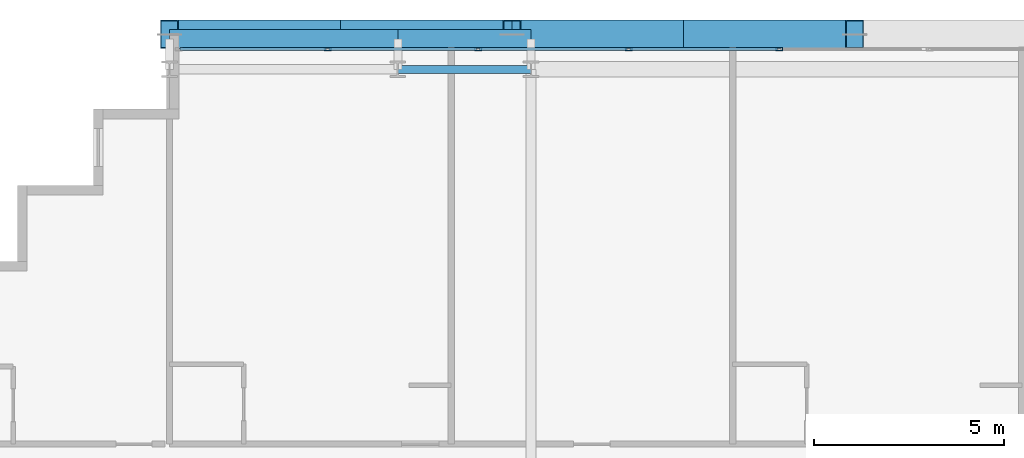
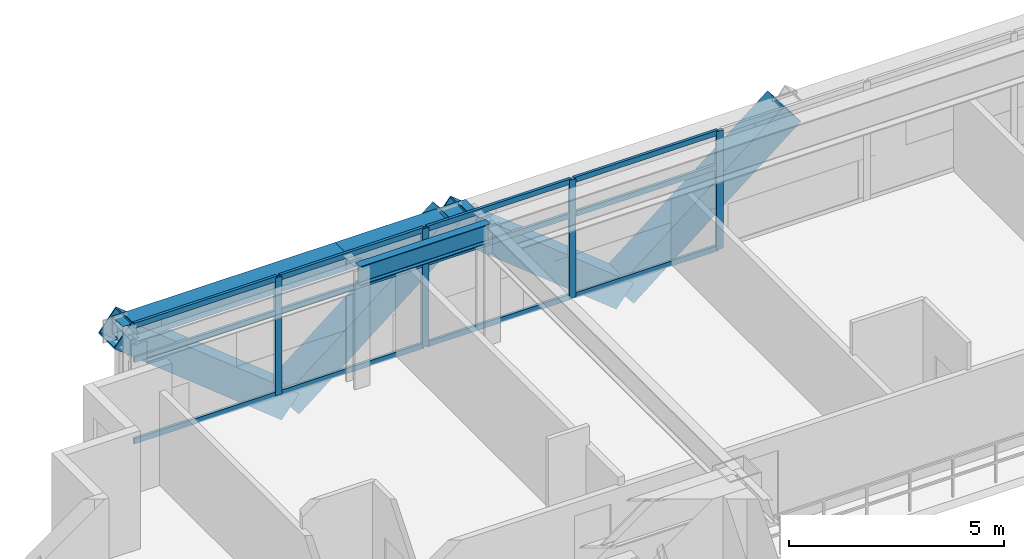
# One storey, part 18 of 34: 20 members, 3 beams, 1 element without a shape of its own.
"""IFC4 building model written with IfcOpenShell, lengths in metres."""

from ifc_helpers import new_model, si_unit, direction, frame, origin, origin_2d, place, context, subcontext, project, spatial, hollow_rectangle, i_section, extrude, source, transform, mapped, material, layer, layer_set, material_profile, profile_set, type_object, element, aggregate, save


model = new_model("IFC4")

# Units and contexts
model_context = context("Model", 3, precision=1e-05, world=origin(), true_north=direction((0.0, 1.0)))
body_context = subcontext(model_context, "Body", "Model", "MODEL_VIEW")
ifc_project = project(units=[si_unit("LENGTHUNIT", "METRE"), si_unit("AREAUNIT", "SQUARE_METRE"), si_unit("VOLUMEUNIT", "CUBIC_METRE"), si_unit("PLANEANGLEUNIT", "RADIAN"), si_unit("MASSUNIT", "GRAM", prefix="KILO")], contexts=[model_context])

# Site, building, storey
site_placement = place(None, origin())
site = spatial("IfcSite", under=ifc_project, at=site_placement, CompositionType="ELEMENT")
building_placement = place(site_placement, origin())
building = spatial("IfcBuilding", under=site, at=building_placement, Name="Ocotamira Hotel", CompositionType="ELEMENT")
storey_placement = place(building_placement, frame((0.0, 0.0, 108.0)))
storey = spatial("IfcBuildingStorey", under=building, at=storey_placement, Name="L26", CompositionType="ELEMENT", Elevation=108.0)

# Beams
ifc_material_1 = material(Name="Steel ASTM A992 Grade 50", Category="steel")
ifc_material_profile_1 = material_profile(ifc_material_1, i_section(OverallWidth=0.2099609375, OverallDepth=0.537109375, WebThickness=0.010986328125, FlangeThickness=0.017333984375, FilletRadius=0.012939453125, at=origin_2d()), Name="W21X68")
ifc_profile_set_1 = profile_set([ifc_material_profile_1], Name="Steel ASTM A992 Grade 50")
beam_type_1 = type_object("IfcBeamType", Name="BM-SEC-W21X68", PredefinedType="JOIST", material=ifc_profile_set_1)
shared_shape_1 = source(origin(), body_context, "Body", "SweptSolid", [
    extrude(i_section(OverallWidth=0.2099609375, OverallDepth=0.537109375, WebThickness=0.010986328125, FlangeThickness=0.017333984375, FilletRadius=0.012939453125, at=origin_2d()), origin(), (0.0, 0.0, 1.0), 3.5),
])
beam_1_placement = place(storey_placement, frame((20.0, 49.050048828125, 3.091552734375), z_axis=(1.0, 0.0, 0.0), x_axis=(0.0, 1.0, 0.0)))
element("IfcBeam", 1, at=beam_1_placement, inside=storey, type_object=beam_type_1, Name="L26 Girder Y49.05 X20-23.5", PredefinedType="JOIST", context=body_context, shape_type="MappedRepresentation", body=[
    mapped(shared_shape_1, transform((0.0, 0.0, 0.0), scale=1.0)),
])
ifc_material_2 = material(Name="Steel ASTM A500 Grade C", Category="steel")
ifc_material_profile_2 = material_profile(ifc_material_2, hollow_rectangle(XDim=0.5, YDim=0.5, WallThickness=0.02001953125, at=origin_2d()), Name="HSS500X500X20")
ifc_profile_set_2 = profile_set([ifc_material_profile_2], Name="Steel ASTM A500 Grade C")
beam_type_2 = type_object("IfcBeamType", Name="BM-SPAN-HSS500", PredefinedType="USERDEFINED", material=ifc_profile_set_2)
shared_shape_2 = source(origin(), body_context, "Body", "SweptSolid", [
    extrude(hollow_rectangle(XDim=0.5, YDim=0.5, WallThickness=0.02001953125, at=origin_2d()), origin(), (0.0, 0.0, 1.0), 6.0),
])
beam_2_placement = place(storey_placement, frame((14.0, 49.85009765625, 3.110107421875), z_axis=(1.0, 0.0, 0.0), x_axis=(0.0, 1.0, 0.0)))
element("IfcBeam", 2, at=beam_2_placement, inside=storey, type_object=beam_type_2, Name="L26 Edge Spandrel N X14-20", ObjectType="SPANDREL", PredefinedType="USERDEFINED", context=body_context, shape_type="MappedRepresentation", body=[
    mapped(shared_shape_2, transform((0.0, 0.0, 0.0), scale=1.0)),
])
shared_shape_3 = source(origin(), body_context, "Body", "SweptSolid", [
    extrude(hollow_rectangle(XDim=0.5, YDim=0.5, WallThickness=0.02001953125, at=origin_2d()), origin(), (0.0, 0.0, 1.0), 3.5),
])
beam_3_placement = place(storey_placement, frame((20.0, 49.85009765625, 3.110107421875), z_axis=(1.0, 0.0, 0.0), x_axis=(0.0, 1.0, 0.0)))
element("IfcBeam", 3, at=beam_3_placement, inside=storey, type_object=beam_type_2, Name="L26 Edge Spandrel N X20-23.5", ObjectType="SPANDREL", PredefinedType="USERDEFINED", context=body_context, shape_type="MappedRepresentation", body=[
    mapped(shared_shape_3, transform((0.0, 0.0, 0.0), scale=1.0)),
])

# Members
ifc_material_3 = material(Name="Pale-metal coated steel ASTM A913 Grade 65", Category="steel")
ifc_material_profile_3 = material_profile(ifc_material_3, hollow_rectangle(XDim=0.75, YDim=0.75, WallThickness=0.028076171875, at=origin_2d()), Name="BOX750X750X28")
ifc_profile_set_3 = profile_set([ifc_material_profile_3], Name="Pale-metal coated steel ASTM A913 Grade 65")
member_type_1 = type_object("IfcMemberType", Name="MEM-EXO-BOX750", PredefinedType="BRACE", material=ifc_profile_set_3)
shared_shape_4 = source(origin(), body_context, "Body", "SweptSolid", [
    extrude(hollow_rectangle(XDim=0.75, YDim=0.75, WallThickness=0.028076171875, at=origin_2d()), origin(), (0.0, 0.0, 1.0), 5.762939453125),
])
for number, where, z_axis, x_axis, name in (
    (4, (18.5, 49.969970703125, -0.489990234375), (-0.780860543151, 0.0, 0.624705380279), (0.0, -1.0, 0.0), "L26 Exoskeleton Diagrid N0.1"),
    (5, (18.5, 49.969970703125, -0.489990234375), (0.780860543151, 0.0, 0.624705380279), (0.0, 1.0, 0.0), "L26 Exoskeleton Diagrid N0.2"),
    (6, (27.5, 49.969970703125, -0.489990234375), (-0.780860543151, 0.0, 0.624705380279), (0.0, -1.0, 0.0), "L26 Exoskeleton Diagrid N1.1"),
    (7, (27.5, 49.969970703125, -0.489990234375), (0.780860543151, 0.0, 0.624705380279), (0.0, 1.0, 0.0), "L26 Exoskeleton Diagrid N1.2"),
):
    element("IfcMember", number, at=place(storey_placement, frame(where, z_axis=z_axis, x_axis=x_axis)), inside=storey, type_object=member_type_1, Name=name, PredefinedType="BRACE", context=body_context, shape_type="MappedRepresentation", body=[
        mapped(shared_shape_4, transform((0.0, 0.0, 0.0), scale=1.0)),
    ])

# Curtain wall, members
ifc_material_4 = material(Name="Anodised pale-metal aluminium and solar glass", Category="aluminium")
ifc_layer = layer(ifc_material_4, 0.179931640625)
ifc_layer_set = layer_set([ifc_layer], Name="Anodised pale-metal aluminium and solar glass")
curtain_wall_type = type_object("IfcCurtainWallType", Name="CW-SYS3-Z2", PredefinedType="NOTDEFINED", material=ifc_layer_set)
curtain_wall_placement = place(storey_placement, origin())
curtain_wall = element("IfcCurtainWall", 8, at=curtain_wall_placement, inside=storey, type_object=curtain_wall_type, Name="L26 Curtain Wall CW-3 CW-L26-N", PredefinedType="NOTDEFINED")
ifc_material_5 = material(Name="Anodised pale-metal aluminium 6063-T6", Category="aluminium")
ifc_material_profile_4 = material_profile(ifc_material_5, hollow_rectangle(XDim=0.074951171875, YDim=0.14990234375, WallThickness=0.006103515625, at=origin_2d()), Name="HSS150X75X6")
ifc_profile_set_4 = profile_set([ifc_material_profile_4], Name="Anodised pale-metal aluminium 6063-T6")
member_type_2 = type_object("IfcMemberType", Name="CWT-150X75", PredefinedType="USERDEFINED", material=ifc_profile_set_4)
shared_shape_5 = source(origin(), body_context, "Body", "SweptSolid", [
    extrude(hollow_rectangle(XDim=0.074951171875, YDim=0.14990234375, WallThickness=0.006103515625, at=origin_2d()), origin(), (0.0, 0.0, 1.0), 3.83544921875),
])
member_1_placement = place(storey_placement, frame((14.280029296875, 49.580078125, 0.03759765625), z_axis=(1.0, 0.0, 0.0), x_axis=(0.0, 1.0, 0.0)))
member_1 = element("IfcMember", 9, at=member_1_placement, type_object=member_type_2, Name="CW-3 transom 1.1", ObjectType="TRANSOM", PredefinedType="USERDEFINED", context=body_context, shape_type="MappedRepresentation", body=[
    mapped(shared_shape_5, transform((0.0, 0.0, 0.0), scale=1.0)),
])
member_2_placement = place(storey_placement, frame((14.280029296875, 49.580078125, 2.35009765625), z_axis=(1.0, 0.0, 0.0), x_axis=(0.0, 1.0, 0.0)))
member_2 = element("IfcMember", 10, at=member_2_placement, type_object=member_type_2, Name="CW-3 transom 1.2", ObjectType="TRANSOM", PredefinedType="USERDEFINED", context=body_context, shape_type="MappedRepresentation", body=[
    mapped(shared_shape_5, transform((0.0, 0.0, 0.0), scale=1.0)),
])
member_3_placement = place(storey_placement, frame((14.280029296875, 49.580078125, 3.322509765625), z_axis=(1.0, 0.0, 0.0), x_axis=(0.0, 1.0, 0.0)))
member_3 = element("IfcMember", 11, at=member_3_placement, type_object=member_type_2, Name="CW-3 transom 1.3", ObjectType="TRANSOM", PredefinedType="USERDEFINED", context=body_context, shape_type="MappedRepresentation", body=[
    mapped(shared_shape_5, transform((0.0, 0.0, 0.0), scale=1.0)),
])
shared_shape_6 = source(origin(), body_context, "Body", "SweptSolid", [
    extrude(hollow_rectangle(XDim=0.074951171875, YDim=0.14990234375, WallThickness=0.006103515625, at=origin_2d()), origin(), (0.0, 0.0, 1.0), 3.87548828125),
])
member_4_placement = place(storey_placement, frame((18.195556640625, 49.580078125, 0.03759765625), z_axis=(1.0, 0.0, 0.0), x_axis=(0.0, 1.0, 0.0)))
member_4 = element("IfcMember", 12, at=member_4_placement, type_object=member_type_2, Name="CW-3 transom 2.1", ObjectType="TRANSOM", PredefinedType="USERDEFINED", context=body_context, shape_type="MappedRepresentation", body=[
    mapped(shared_shape_6, transform((0.0, 0.0, 0.0), scale=1.0)),
])
member_5_placement = place(storey_placement, frame((18.195556640625, 49.580078125, 2.35009765625), z_axis=(1.0, 0.0, 0.0), x_axis=(0.0, 1.0, 0.0)))
member_5 = element("IfcMember", 13, at=member_5_placement, type_object=member_type_2, Name="CW-3 transom 2.2", ObjectType="TRANSOM", PredefinedType="USERDEFINED", context=body_context, shape_type="MappedRepresentation", body=[
    mapped(shared_shape_6, transform((0.0, 0.0, 0.0), scale=1.0)),
])
member_6_placement = place(storey_placement, frame((18.195556640625, 49.580078125, 3.322509765625), z_axis=(1.0, 0.0, 0.0), x_axis=(0.0, 1.0, 0.0)))
member_6 = element("IfcMember", 14, at=member_6_placement, type_object=member_type_2, Name="CW-3 transom 2.3", ObjectType="TRANSOM", PredefinedType="USERDEFINED", context=body_context, shape_type="MappedRepresentation", body=[
    mapped(shared_shape_6, transform((0.0, 0.0, 0.0), scale=1.0)),
])
member_7_placement = place(storey_placement, frame((22.151123046875, 49.580078125, 0.03759765625), z_axis=(1.0, 0.0, 0.0), x_axis=(0.0, 1.0, 0.0)))
member_7 = element("IfcMember", 15, at=member_7_placement, type_object=member_type_2, Name="CW-3 transom 3.1", ObjectType="TRANSOM", PredefinedType="USERDEFINED", context=body_context, shape_type="MappedRepresentation", body=[
    mapped(shared_shape_6, transform((0.0, 0.0, 0.0), scale=1.0)),
])
member_8_placement = place(storey_placement, frame((22.151123046875, 49.580078125, 2.35009765625), z_axis=(1.0, 0.0, 0.0), x_axis=(0.0, 1.0, 0.0)))
member_8 = element("IfcMember", 16, at=member_8_placement, type_object=member_type_2, Name="CW-3 transom 3.2", ObjectType="TRANSOM", PredefinedType="USERDEFINED", context=body_context, shape_type="MappedRepresentation", body=[
    mapped(shared_shape_6, transform((0.0, 0.0, 0.0), scale=1.0)),
])
member_9_placement = place(storey_placement, frame((22.151123046875, 49.580078125, 3.322509765625), z_axis=(1.0, 0.0, 0.0), x_axis=(0.0, 1.0, 0.0)))
member_9 = element("IfcMember", 17, at=member_9_placement, type_object=member_type_2, Name="CW-3 transom 3.3", ObjectType="TRANSOM", PredefinedType="USERDEFINED", context=body_context, shape_type="MappedRepresentation", body=[
    mapped(shared_shape_6, transform((0.0, 0.0, 0.0), scale=1.0)),
])
member_10_placement = place(storey_placement, frame((26.106689453125, 49.580078125, 0.03759765625), z_axis=(1.0, 0.0, 0.0), x_axis=(0.0, 1.0, 0.0)))
member_10 = element("IfcMember", 18, at=member_10_placement, type_object=member_type_2, Name="CW-3 transom 4.1", ObjectType="TRANSOM", PredefinedType="USERDEFINED", context=body_context, shape_type="MappedRepresentation", body=[
    mapped(shared_shape_6, transform((0.0, 0.0, 0.0), scale=1.0)),
])
member_11_placement = place(storey_placement, frame((26.106689453125, 49.580078125, 2.35009765625), z_axis=(1.0, 0.0, 0.0), x_axis=(0.0, 1.0, 0.0)))
member_11 = element("IfcMember", 19, at=member_11_placement, type_object=member_type_2, Name="CW-3 transom 4.2", ObjectType="TRANSOM", PredefinedType="USERDEFINED", context=body_context, shape_type="MappedRepresentation", body=[
    mapped(shared_shape_6, transform((0.0, 0.0, 0.0), scale=1.0)),
])
member_12_placement = place(storey_placement, frame((26.106689453125, 49.580078125, 3.322509765625), z_axis=(1.0, 0.0, 0.0), x_axis=(0.0, 1.0, 0.0)))
member_12 = element("IfcMember", 20, at=member_12_placement, type_object=member_type_2, Name="CW-3 transom 4.3", ObjectType="TRANSOM", PredefinedType="USERDEFINED", context=body_context, shape_type="MappedRepresentation", body=[
    mapped(shared_shape_6, transform((0.0, 0.0, 0.0), scale=1.0)),
])
ifc_material_profile_5 = material_profile(ifc_material_5, hollow_rectangle(XDim=0.080078125, YDim=0.179931640625, WallThickness=0.006103515625, at=origin_2d()), Name="HSS180X80X6")
ifc_profile_set_5 = profile_set([ifc_material_profile_5], Name="Anodised pale-metal aluminium 6063-T6")
member_type_3 = type_object("IfcMemberType", Name="CWM-180X75", PredefinedType="MULLION", material=ifc_profile_set_5)
shared_shape_7 = source(origin(), body_context, "Body", "SweptSolid", [
    extrude(hollow_rectangle(XDim=0.080078125, YDim=0.179931640625, WallThickness=0.006103515625, at=origin_2d()), origin(), (0.0, 0.0, 1.0), 3.360107421875),
])
member_13_placement = place(storey_placement, frame((18.155517578125, 49.580078125, 0.0), z_axis=(0.0, 0.0, 1.0), x_axis=(0.0, 1.0, 0.0)))
member_13 = element("IfcMember", 21, at=member_13_placement, type_object=member_type_3, Name="CW-3 mullion 2", PredefinedType="MULLION", context=body_context, shape_type="MappedRepresentation", body=[
    mapped(shared_shape_7, transform((0.0, 0.0, 0.0), scale=1.0)),
])
member_14_placement = place(storey_placement, frame((22.111083984375, 49.580078125, 0.0), z_axis=(0.0, 0.0, 1.0), x_axis=(0.0, 1.0, 0.0)))
member_14 = element("IfcMember", 22, at=member_14_placement, type_object=member_type_3, Name="CW-3 mullion 3", PredefinedType="MULLION", context=body_context, shape_type="MappedRepresentation", body=[
    mapped(shared_shape_7, transform((0.0, 0.0, 0.0), scale=1.0)),
])
member_15_placement = place(storey_placement, frame((26.066650390625, 49.580078125, 0.0), z_axis=(0.0, 0.0, 1.0), x_axis=(0.0, 1.0, 0.0)))
member_15 = element("IfcMember", 23, at=member_15_placement, type_object=member_type_3, Name="CW-3 mullion 4", PredefinedType="MULLION", context=body_context, shape_type="MappedRepresentation", body=[
    mapped(shared_shape_7, transform((0.0, 0.0, 0.0), scale=1.0)),
])
member_16_placement = place(storey_placement, frame((30.022216796875, 49.580078125, 0.0), z_axis=(0.0, 0.0, 1.0), x_axis=(0.0, 1.0, 0.0)))
member_16 = element("IfcMember", 24, at=member_16_placement, type_object=member_type_3, Name="CW-3 mullion 5", PredefinedType="MULLION", context=body_context, shape_type="MappedRepresentation", body=[
    mapped(shared_shape_7, transform((0.0, 0.0, 0.0), scale=1.0)),
])
aggregate(curtain_wall, [member_13, member_14, member_15, member_16, member_1, member_2, member_3, member_4, member_5, member_6, member_7, member_8, member_9, member_10, member_11, member_12])

save(model, "model.ifc")
